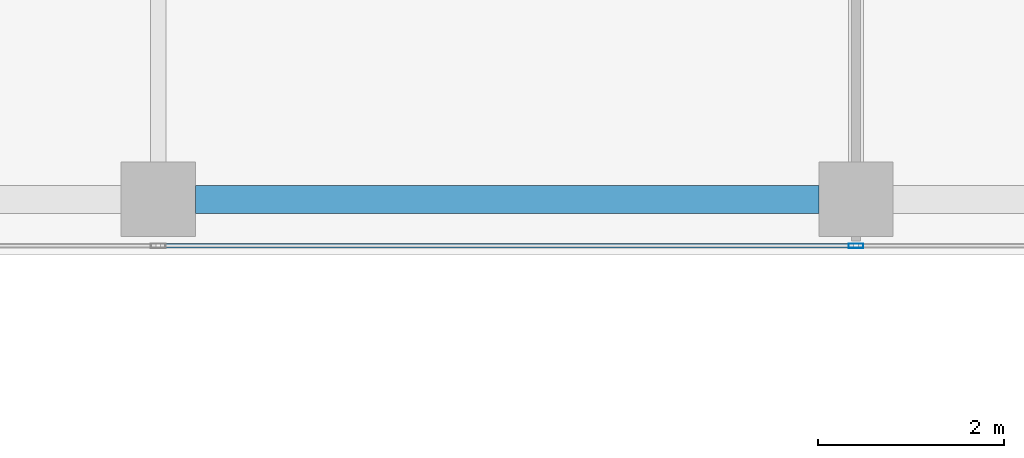
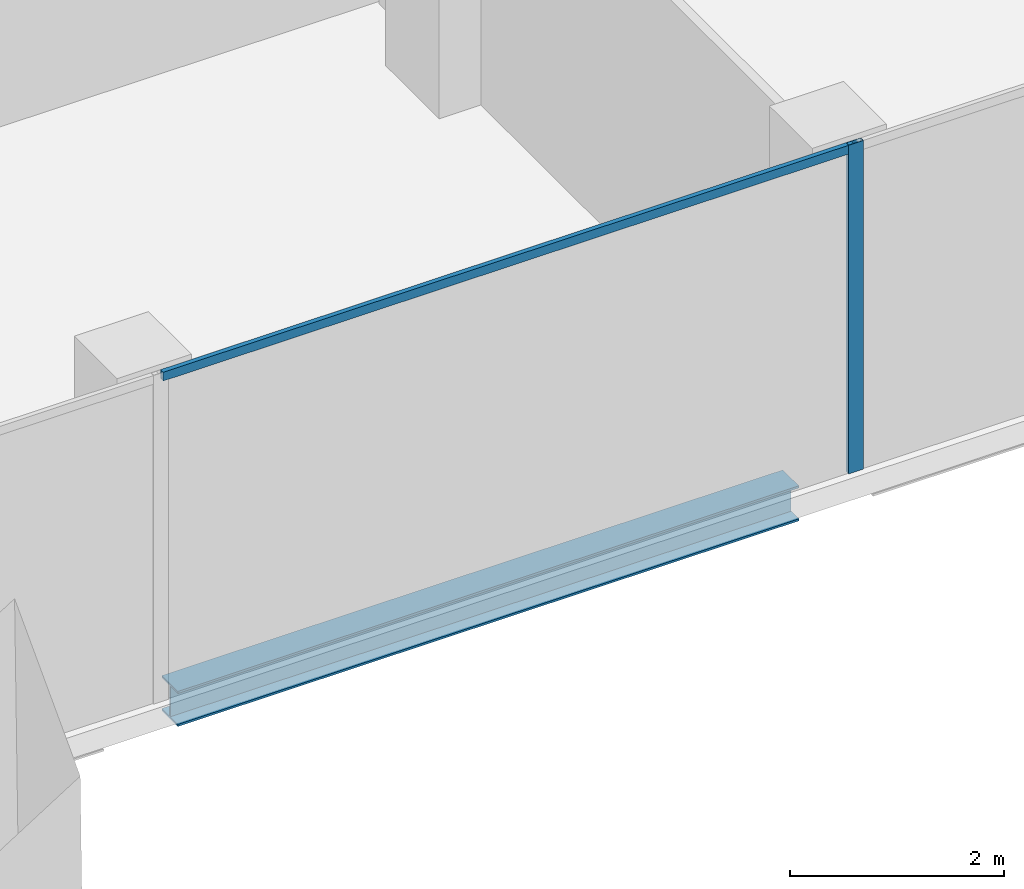
# One storey, part 5 of 28: 2 members, 1 beam, 1 element without a shape of its own.
"""IFC4 building model written with IfcOpenShell, lengths in metres."""

from ifc_helpers import new_model, si_unit, direction, frame, origin, origin_2d, place, context, subcontext, project, spatial, hollow_rectangle, i_section, extrude, source, transform, mapped, material, material_profile, profile_set, type_object, element, aggregate, save


model = new_model("IFC4")

# Units and contexts
model_context = context("Model", 3, precision=1e-05, world=origin(), true_north=direction((0.0, 1.0)))
body_context = subcontext(model_context, "Body", "Model", "MODEL_VIEW")
ifc_project = project(units=[si_unit("LENGTHUNIT", "METRE"), si_unit("AREAUNIT", "SQUARE_METRE"), si_unit("VOLUMEUNIT", "CUBIC_METRE"), si_unit("PLANEANGLEUNIT", "RADIAN"), si_unit("MASSUNIT", "GRAM", prefix="KILO")], contexts=[model_context])

# Site, building, storey
site_placement = place(None, origin())
site = spatial("IfcSite", under=ifc_project, at=site_placement, CompositionType="ELEMENT")
building_placement = place(site_placement, origin())
building = spatial("IfcBuilding", under=site, at=building_placement, Name="Khomas Fold Tower", CompositionType="ELEMENT")
storey_placement = place(building_placement, frame((0.0, 0.0, 298.199951171875)))
storey = spatial("IfcBuildingStorey", under=building, at=storey_placement, Name="L67", CompositionType="ELEMENT", Elevation=298.199951171875)

# Beam
ifc_material_1 = material(Name="Steel S355", Category="steel")
ifc_material_profile_1 = material_profile(ifc_material_1, i_section(OverallWidth=0.300048828125, OverallDepth=0.39990234375, WebThickness=0.013427734375, FlangeThickness=0.02392578125, at=origin_2d()), Name="HE 400 B")
ifc_profile_set_1 = profile_set([ifc_material_profile_1], Name="Steel S355")
beam_type = type_object("IfcBeamType", Name="HE 400 B spandrel SB5", PredefinedType="SPANDREL", material=ifc_profile_set_1)
shared_shape_1 = source(origin(), body_context, "Body", "SweptSolid", [
    extrude(i_section(OverallWidth=0.300048828125, OverallDepth=0.39990234375, WebThickness=0.013427734375, FlangeThickness=0.02392578125, at=origin_2d()), origin(), (0.0, 0.0, 1.0), 6.7001953125),
])
beam_placement = place(storey_placement, frame((27.39990234375, 6.60009765625, -0.449951171875), z_axis=(1.0, 0.0, 0.0), x_axis=(0.0, 1.0, 0.0)))
element("IfcBeam", 1, at=beam_placement, inside=storey, type_object=beam_type, Name="SB5", PredefinedType="SPANDREL", context=body_context, shape_type="MappedRepresentation", body=[
    mapped(shared_shape_1, transform((0.0, 0.0, 0.0))),
])

# Curtain wall, members
ifc_material_2 = material(Name="Aluminium framed double glazing", Category="aluminium")
curtain_wall_type = type_object("IfcCurtainWallType", Name="SK-Unitised clear-glass wall, upper floors CW3", PredefinedType="NOTDEFINED", material=ifc_material_2)
curtain_wall_placement = place(storey_placement, origin())
curtain_wall = element("IfcCurtainWall", 2, at=curtain_wall_placement, inside=storey, type_object=curtain_wall_type, Name="CW3 run L67 00-0", PredefinedType="NOTDEFINED")
ifc_material_3 = material(Name="Aluminium", Category="aluminium")
ifc_material_profile_2 = material_profile(ifc_material_3, hollow_rectangle(XDim=0.050048828125, YDim=0.159912109375, WallThickness=0.00390625, at=origin_2d()), Name="SK-Unitised clear-glass wall, upper floors mullion CW3-M")
ifc_profile_set_2 = profile_set([ifc_material_profile_2], Name="Aluminium")
member_type_1 = type_object("IfcMemberType", Name="SK-Unitised clear-glass wall, upper floors mullion CW3-M", PredefinedType="MULLION", material=ifc_profile_set_2)
shared_shape_2 = source(origin(), body_context, "Body", "SweptSolid", [
    extrude(hollow_rectangle(XDim=0.050048828125, YDim=0.159912109375, WallThickness=0.00390625, at=origin_2d()), origin(), (0.0, 0.0, 1.0), 3.75),
])
member_1_placement = place(storey_placement, frame((34.5, 6.10009765625, 0.0), z_axis=(0.0, 0.0, 1.0), x_axis=(0.0, 1.0, 0.0)))
member_1 = element("IfcMember", 3, at=member_1_placement, type_object=member_type_1, Name="CW3 mullion 5", PredefinedType="MULLION", context=body_context, shape_type="MappedRepresentation", body=[
    mapped(shared_shape_2, transform((0.0, 0.0, 0.0))),
])
ifc_material_4 = material(Name="Aluminium", Category="aluminium")
ifc_material_profile_3 = material_profile(ifc_material_4, hollow_rectangle(XDim=0.050048828125, YDim=0.10009765625, WallThickness=0.00390625, at=origin_2d()), Name="SK-Unitised clear-glass wall, upper floors transom CW3-T")
ifc_profile_set_3 = profile_set([ifc_material_profile_3], Name="Aluminium")
member_type_2 = type_object("IfcMemberType", Name="SK-Unitised clear-glass wall, upper floors transom CW3-T", PredefinedType="USERDEFINED", material=ifc_profile_set_3)
shared_shape_3 = source(origin(), body_context, "Body", "SweptSolid", [
    extrude(hollow_rectangle(XDim=0.050048828125, YDim=0.10009765625, WallThickness=0.00390625, at=origin_2d()), origin(), (0.0, 0.0, 1.0), 7.4501953125),
])
member_2_placement = place(storey_placement, frame((27.02490234375, 6.10009765625, 3.699951171875), z_axis=(1.0, 0.0, 0.0), x_axis=(0.0, 1.0, 0.0)))
member_2 = element("IfcMember", 4, at=member_2_placement, type_object=member_type_2, Name="CW3 transom 4", ObjectType="TRANSOM", PredefinedType="USERDEFINED", context=body_context, shape_type="MappedRepresentation", body=[
    mapped(shared_shape_3, transform((0.0, 0.0, 0.0))),
])
aggregate(curtain_wall, [member_1, member_2])

save(model, "model.ifc")
